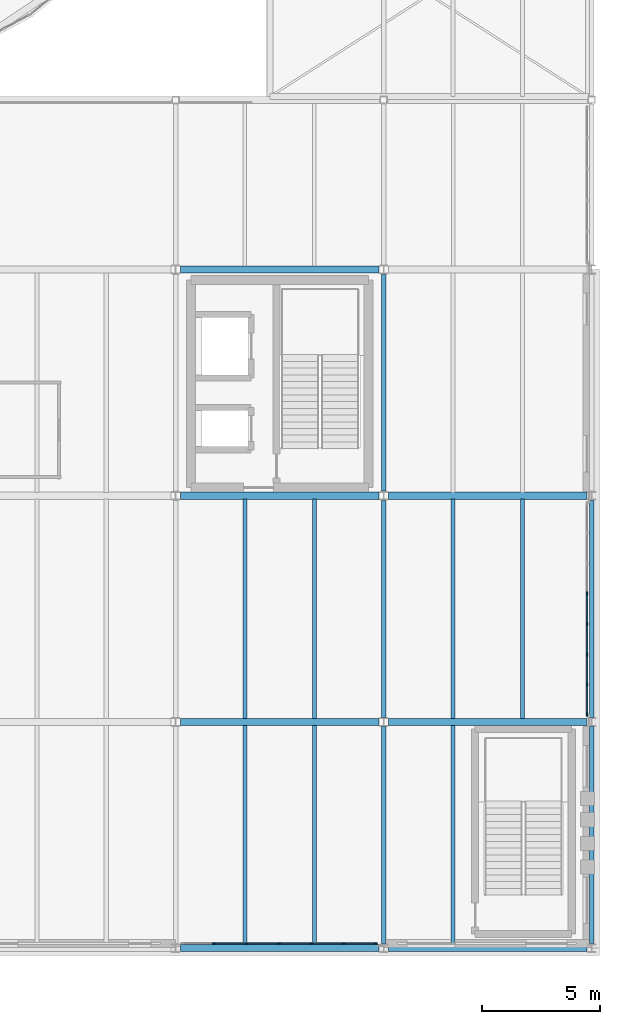
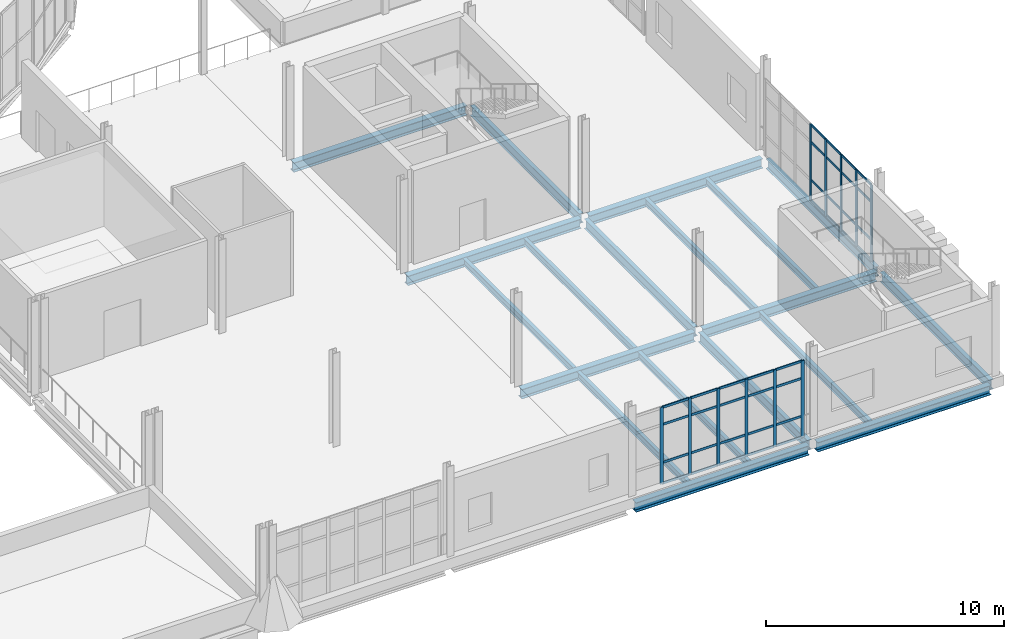
# One storey, part 58 of 112: 47 members, 19 beams, 2 elements without a shape of their own.
"""IFC4 building model written with IfcOpenShell, lengths in metres."""

from ifc_helpers import new_model, si_unit, direction, frame, origin, origin_2d, place, context, subcontext, project, spatial, rectangle, i_section, extrude, material, layer, layer_set, material_profile, profile_set, type_object, element, aggregate, save


model = new_model("IFC4")

# Units and contexts
model_context = context("Model", 3, precision=1e-05, world=origin(), true_north=direction((0.0, 1.0)))
body_context = subcontext(model_context, "Body", "Model", "MODEL_VIEW")
ifc_project = project(units=[si_unit("LENGTHUNIT", "METRE"), si_unit("AREAUNIT", "SQUARE_METRE"), si_unit("VOLUMEUNIT", "CUBIC_METRE"), si_unit("PLANEANGLEUNIT", "RADIAN"), si_unit("MASSUNIT", "GRAM", prefix="KILO")], contexts=[model_context])

# Site, building, storey
site_placement = place(None, origin())
site = spatial("IfcSite", under=ifc_project, at=site_placement, CompositionType="ELEMENT")
building_placement = place(site_placement, origin())
building = spatial("IfcBuilding", under=site, at=building_placement, Name="Yeouljin Market Hall", CompositionType="ELEMENT")
storey_placement = place(building_placement, frame((0.0, 0.0, 6.0)))
storey = spatial("IfcBuildingStorey", under=building, at=storey_placement, Name="L01", CompositionType="ELEMENT", Elevation=6.0)

# Beams
ifc_material_1 = material(Name="Steel SM355", Category="steel")
ifc_material_profile_1 = material_profile(ifc_material_1, i_section(OverallWidth=0.199951171875, OverallDepth=0.5, WebThickness=0.010009765625, FlangeThickness=0.01611328125, FilletRadius=0.02001953125, at=origin_2d()), Name="H-500x200x10x16")
ifc_profile_set_1 = profile_set([ifc_material_profile_1], Name="Steel SM355")
beam_type_1 = type_object("IfcBeamType", Name="Beam_H-500x200x10x16", PredefinedType="BEAM", material=ifc_profile_set_1)
for number, where, z_axis, x_axis, name in (
    (1, (167.570068359375, 0.199951171875, -0.514892578125), (0.0, 1.0, 0.0), (-1.0, 0.0, 0.0), "Primary beam BM-L01-Y226"),
    (2, (167.570068359375, 9.800048828125, -0.514892578125), (0.0, 1.0, 0.0), (-1.0, 0.0, 0.0), "Primary beam BM-L01-Y227"),
):
    element("IfcBeam", number, at=place(storey_placement, frame(where, z_axis=z_axis, x_axis=x_axis)), inside=storey, type_object=beam_type_1, Name=name, PredefinedType="BEAM", context=body_context, shape_type="SweptSolid", body=[
        extrude(i_section(OverallWidth=0.199951171875, OverallDepth=0.5, WebThickness=0.010009765625, FlangeThickness=0.01611328125, FilletRadius=0.02001953125, at=origin_2d()), origin(), (0.0, 0.0, 1.0), 9.199951171875),
    ])
beam_1_placement = place(storey_placement, frame((167.570068359375, 19.39990234375, -0.514892578125), z_axis=(0.0, 1.0, 0.0), x_axis=(-1.0, 0.0, 0.0)))
element("IfcBeam", 3, at=beam_1_placement, inside=storey, type_object=beam_type_1, Name="Primary beam BM-L01-Y228", PredefinedType="BEAM", context=body_context, shape_type="SweptSolid", body=[
    extrude(i_section(OverallWidth=0.199951171875, OverallDepth=0.5, WebThickness=0.010009765625, FlangeThickness=0.01611328125, FilletRadius=0.02001953125, at=origin_2d()), origin(), (0.0, 0.0, 1.0), 9.2001953125),
])
for number, where, z_axis, x_axis, name in (
    (4, (176.39990234375, 0.199951171875, -0.514892578125), (0.0, 1.0, 0.0), (-1.0, 0.0, 0.0), "Primary beam BM-L01-Y234"),
    (5, (176.39990234375, 9.800048828125, -0.514892578125), (0.0, 1.0, 0.0), (-1.0, 0.0, 0.0), "Primary beam BM-L01-Y235"),
):
    element("IfcBeam", number, at=place(storey_placement, frame(where, z_axis=z_axis, x_axis=x_axis)), inside=storey, type_object=beam_type_1, Name=name, PredefinedType="BEAM", context=body_context, shape_type="SweptSolid", body=[
        extrude(i_section(OverallWidth=0.199951171875, OverallDepth=0.5, WebThickness=0.010009765625, FlangeThickness=0.01611328125, FilletRadius=0.02001953125, at=origin_2d()), origin(), (0.0, 0.0, 1.0), 9.199951171875),
    ])

# Curtain wall, members
ifc_material_2 = material(Name="Thermally Broken Aluminium", Category="aluminium")
ifc_layer = layer(ifc_material_2, 0.14990234375)
ifc_layer_set = layer_set([ifc_layer], Name="Thermally Broken Aluminium")
curtain_wall_type = type_object("IfcCurtainWallType", Name="CW_AcademyRibbon_System", PredefinedType="USERDEFINED", material=ifc_layer_set)
curtain_wall_1_placement = place(storey_placement, origin())
curtain_wall_1 = element("IfcCurtainWall", 6, at=curtain_wall_1_placement, inside=storey, type_object=curtain_wall_type, Name="Curtain wall CW-L01-W10", ObjectType="CURTAIN WALL", PredefinedType="USERDEFINED")
ifc_material_3 = material(Name="Thermally Broken Aluminium", Category="aluminium")
ifc_material_profile_2 = material_profile(ifc_material_3, rectangle(XDim=0.048095703125, YDim=0.14990234375, at=origin_2d()), Name="CW-MULL-48x150")
ifc_profile_set_2 = profile_set([ifc_material_profile_2], Name="Thermally Broken Aluminium")
member_type_1 = type_object("IfcMemberType", Name="CWMullion_48x150", PredefinedType="MULLION", material=ifc_profile_set_2)
member_1_placement = place(storey_placement, frame((167.22607421875, 0.199951171875, 0.0), z_axis=(0.0, 0.0, 1.0), x_axis=(0.0, -1.0, 0.0)))
member_1 = element("IfcMember", 7, at=member_1_placement, type_object=member_type_1, Name="CW-05 mullion 1", PredefinedType="MULLION", context=body_context, shape_type="SweptSolid", body=[
    extrude(rectangle(XDim=0.048095703125, YDim=0.14990234375, at=origin_2d()), origin(), (0.0, 0.0, 1.0), 3.949951171875),
])
member_2_placement = place(storey_placement, frame((165.875, 0.199951171875, 0.0), z_axis=(0.0, 0.0, 1.0), x_axis=(0.0, -1.0, 0.0)))
member_2 = element("IfcMember", 8, at=member_2_placement, type_object=member_type_1, Name="CW-05 mullion 2", PredefinedType="MULLION", context=body_context, shape_type="SweptSolid", body=[
    extrude(rectangle(XDim=0.048095703125, YDim=0.14990234375, at=origin_2d()), origin(), (0.0, 0.0, 1.0), 3.949951171875),
])
member_3_placement = place(storey_placement, frame((164.5, 0.199951171875, 0.0), z_axis=(0.0, 0.0, 1.0), x_axis=(0.0, -1.0, 0.0)))
member_3 = element("IfcMember", 9, at=member_3_placement, type_object=member_type_1, Name="CW-05 mullion 3", PredefinedType="MULLION", context=body_context, shape_type="SweptSolid", body=[
    extrude(rectangle(XDim=0.048095703125, YDim=0.14990234375, at=origin_2d()), origin(), (0.0, 0.0, 1.0), 3.949951171875),
])
member_4_placement = place(storey_placement, frame((163.125, 0.199951171875, 0.0), z_axis=(0.0, 0.0, 1.0), x_axis=(0.0, -1.0, 0.0)))
member_4 = element("IfcMember", 10, at=member_4_placement, type_object=member_type_1, Name="CW-05 mullion 4", PredefinedType="MULLION", context=body_context, shape_type="SweptSolid", body=[
    extrude(rectangle(XDim=0.048095703125, YDim=0.14990234375, at=origin_2d()), origin(), (0.0, 0.0, 1.0), 3.949951171875),
])
member_5_placement = place(storey_placement, frame((161.75, 0.199951171875, 0.0), z_axis=(0.0, 0.0, 1.0), x_axis=(0.0, -1.0, 0.0)))
member_5 = element("IfcMember", 11, at=member_5_placement, type_object=member_type_1, Name="CW-05 mullion 5", PredefinedType="MULLION", context=body_context, shape_type="SweptSolid", body=[
    extrude(rectangle(XDim=0.048095703125, YDim=0.14990234375, at=origin_2d()), origin(), (0.0, 0.0, 1.0), 3.949951171875),
])
member_6_placement = place(storey_placement, frame((160.375, 0.199951171875, 0.0), z_axis=(0.0, 0.0, 1.0), x_axis=(0.0, -1.0, 0.0)))
member_6 = element("IfcMember", 12, at=member_6_placement, type_object=member_type_1, Name="CW-05 mullion 6", PredefinedType="MULLION", context=body_context, shape_type="SweptSolid", body=[
    extrude(rectangle(XDim=0.048095703125, YDim=0.14990234375, at=origin_2d()), origin(), (0.0, 0.0, 1.0), 3.949951171875),
])

curtain_wall_2_placement = place(storey_placement, origin())
curtain_wall_2 = element("IfcCurtainWall", 13, at=curtain_wall_2_placement, inside=storey, type_object=curtain_wall_type, Name="Curtain wall CW-L01-W15", ObjectType="CURTAIN WALL", PredefinedType="USERDEFINED")
member_7_placement = place(storey_placement, frame((176.199951171875, 15.04296875, 0.0), z_axis=(0.0, 0.0, 1.0), x_axis=(1.0, 0.0, 0.0)))
member_7 = element("IfcMember", 14, at=member_7_placement, type_object=member_type_1, Name="CW-05 mullion 4", PredefinedType="MULLION", context=body_context, shape_type="SweptSolid", body=[
    extrude(rectangle(XDim=0.048095703125, YDim=0.14990234375, at=origin_2d()), origin(), (0.0, 0.0, 1.0), 3.949951171875),
])
member_8_placement = place(storey_placement, frame((176.199951171875, 13.757080078125, 0.0), z_axis=(0.0, 0.0, 1.0), x_axis=(1.0, 0.0, 0.0)))
member_8 = element("IfcMember", 15, at=member_8_placement, type_object=member_type_1, Name="CW-05 mullion 5", PredefinedType="MULLION", context=body_context, shape_type="SweptSolid", body=[
    extrude(rectangle(XDim=0.048095703125, YDim=0.14990234375, at=origin_2d()), origin(), (0.0, 0.0, 1.0), 3.949951171875),
])
member_9_placement = place(storey_placement, frame((176.199951171875, 12.471435546875, 0.0), z_axis=(0.0, 0.0, 1.0), x_axis=(1.0, 0.0, 0.0)))
member_9 = element("IfcMember", 16, at=member_9_placement, type_object=member_type_1, Name="CW-05 mullion 6", PredefinedType="MULLION", context=body_context, shape_type="SweptSolid", body=[
    extrude(rectangle(XDim=0.048095703125, YDim=0.14990234375, at=origin_2d()), origin(), (0.0, 0.0, 1.0), 3.949951171875),
])
member_10_placement = place(storey_placement, frame((176.199951171875, 11.185791015625, 0.0), z_axis=(0.0, 0.0, 1.0), x_axis=(1.0, 0.0, 0.0)))
member_10 = element("IfcMember", 17, at=member_10_placement, type_object=member_type_1, Name="CW-05 mullion 7", PredefinedType="MULLION", context=body_context, shape_type="SweptSolid", body=[
    extrude(rectangle(XDim=0.048095703125, YDim=0.14990234375, at=origin_2d()), origin(), (0.0, 0.0, 1.0), 3.949951171875),
])
member_11_placement = place(storey_placement, frame((176.199951171875, 9.924072265625, 0.0), z_axis=(0.0, 0.0, 1.0), x_axis=(1.0, 0.0, 0.0)))
member_11 = element("IfcMember", 18, at=member_11_placement, type_object=member_type_1, Name="CW-05 mullion 8", PredefinedType="MULLION", context=body_context, shape_type="SweptSolid", body=[
    extrude(rectangle(XDim=0.048095703125, YDim=0.14990234375, at=origin_2d()), origin(), (0.0, 0.0, 1.0), 3.949951171875),
])

# Member
ifc_material_4 = material(Name="Thermally Broken Aluminium", Category="aluminium")
ifc_material_profile_3 = material_profile(ifc_material_4, rectangle(XDim=0.048095703125, YDim=0.1201171875, at=origin_2d()), Name="CW-TRAN-48x120")
ifc_profile_set_3 = profile_set([ifc_material_profile_3], Name="Thermally Broken Aluminium")
member_type_2 = type_object("IfcMemberType", Name="CWTransom_48x120", PredefinedType="USERDEFINED", material=ifc_profile_set_3)
member_12_placement = place(storey_placement, frame((167.201904296875, 0.199951171875, 0.02392578125), z_axis=(-1.0, 0.0, 0.0), x_axis=(0.0, -1.0, 0.0)))
member_12 = element("IfcMember", 19, at=member_12_placement, type_object=member_type_2, Name="CW-05 transom 1.1", ObjectType="TRANSOM", PredefinedType="USERDEFINED", context=body_context, shape_type="SweptSolid", body=[
    extrude(rectangle(XDim=0.048095703125, YDim=0.1201171875, at=origin_2d()), origin(), (0.0, 0.0, 1.0), 1.302978515625),
])

member_13_placement = place(storey_placement, frame((167.201904296875, 0.199951171875, 1.10009765625), z_axis=(-1.0, 0.0, 0.0), x_axis=(0.0, -1.0, 0.0)))
member_13 = element("IfcMember", 20, at=member_13_placement, type_object=member_type_2, Name="CW-05 transom 1.2", ObjectType="TRANSOM", PredefinedType="USERDEFINED", context=body_context, shape_type="SweptSolid", body=[
    extrude(rectangle(XDim=0.048095703125, YDim=0.1201171875, at=origin_2d()), origin(), (0.0, 0.0, 1.0), 1.302978515625),
])

member_14_placement = place(storey_placement, frame((167.201904296875, 0.199951171875, 3.050048828125), z_axis=(-1.0, 0.0, 0.0), x_axis=(0.0, -1.0, 0.0)))
member_14 = element("IfcMember", 21, at=member_14_placement, type_object=member_type_2, Name="CW-05 transom 1.3", ObjectType="TRANSOM", PredefinedType="USERDEFINED", context=body_context, shape_type="SweptSolid", body=[
    extrude(rectangle(XDim=0.048095703125, YDim=0.1201171875, at=origin_2d()), origin(), (0.0, 0.0, 1.0), 1.302978515625),
])

member_15_placement = place(storey_placement, frame((167.201904296875, 0.199951171875, 3.926025390625), z_axis=(-1.0, 0.0, 0.0), x_axis=(0.0, -1.0, 0.0)))
member_15 = element("IfcMember", 22, at=member_15_placement, type_object=member_type_2, Name="CW-05 transom 1.4", ObjectType="TRANSOM", PredefinedType="USERDEFINED", context=body_context, shape_type="SweptSolid", body=[
    extrude(rectangle(XDim=0.048095703125, YDim=0.1201171875, at=origin_2d()), origin(), (0.0, 0.0, 1.0), 1.302978515625),
])

member_16_placement = place(storey_placement, frame((165.85107421875, 0.199951171875, 0.02392578125), z_axis=(-1.0, 0.0, 0.0), x_axis=(0.0, -1.0, 0.0)))
member_16 = element("IfcMember", 23, at=member_16_placement, type_object=member_type_2, Name="CW-05 transom 2.1", ObjectType="TRANSOM", PredefinedType="USERDEFINED", context=body_context, shape_type="SweptSolid", body=[
    extrude(rectangle(XDim=0.048095703125, YDim=0.1201171875, at=origin_2d()), origin(), (0.0, 0.0, 1.0), 1.3271484375),
])

member_17_placement = place(storey_placement, frame((165.85107421875, 0.199951171875, 1.10009765625), z_axis=(-1.0, 0.0, 0.0), x_axis=(0.0, -1.0, 0.0)))
member_17 = element("IfcMember", 24, at=member_17_placement, type_object=member_type_2, Name="CW-05 transom 2.2", ObjectType="TRANSOM", PredefinedType="USERDEFINED", context=body_context, shape_type="SweptSolid", body=[
    extrude(rectangle(XDim=0.048095703125, YDim=0.1201171875, at=origin_2d()), origin(), (0.0, 0.0, 1.0), 1.3271484375),
])

member_18_placement = place(storey_placement, frame((165.85107421875, 0.199951171875, 3.050048828125), z_axis=(-1.0, 0.0, 0.0), x_axis=(0.0, -1.0, 0.0)))
member_18 = element("IfcMember", 25, at=member_18_placement, type_object=member_type_2, Name="CW-05 transom 2.3", ObjectType="TRANSOM", PredefinedType="USERDEFINED", context=body_context, shape_type="SweptSolid", body=[
    extrude(rectangle(XDim=0.048095703125, YDim=0.1201171875, at=origin_2d()), origin(), (0.0, 0.0, 1.0), 1.3271484375),
])

member_19_placement = place(storey_placement, frame((165.85107421875, 0.199951171875, 3.926025390625), z_axis=(-1.0, 0.0, 0.0), x_axis=(0.0, -1.0, 0.0)))
member_19 = element("IfcMember", 26, at=member_19_placement, type_object=member_type_2, Name="CW-05 transom 2.4", ObjectType="TRANSOM", PredefinedType="USERDEFINED", context=body_context, shape_type="SweptSolid", body=[
    extrude(rectangle(XDim=0.048095703125, YDim=0.1201171875, at=origin_2d()), origin(), (0.0, 0.0, 1.0), 1.3271484375),
])

member_20_placement = place(storey_placement, frame((164.47607421875, 0.199951171875, 0.02392578125), z_axis=(-1.0, 0.0, 0.0), x_axis=(0.0, -1.0, 0.0)))
member_20 = element("IfcMember", 27, at=member_20_placement, type_object=member_type_2, Name="CW-05 transom 3.1", ObjectType="TRANSOM", PredefinedType="USERDEFINED", context=body_context, shape_type="SweptSolid", body=[
    extrude(rectangle(XDim=0.048095703125, YDim=0.1201171875, at=origin_2d()), origin(), (0.0, 0.0, 1.0), 1.3271484375),
])

member_21_placement = place(storey_placement, frame((164.47607421875, 0.199951171875, 1.10009765625), z_axis=(-1.0, 0.0, 0.0), x_axis=(0.0, -1.0, 0.0)))
member_21 = element("IfcMember", 28, at=member_21_placement, type_object=member_type_2, Name="CW-05 transom 3.2", ObjectType="TRANSOM", PredefinedType="USERDEFINED", context=body_context, shape_type="SweptSolid", body=[
    extrude(rectangle(XDim=0.048095703125, YDim=0.1201171875, at=origin_2d()), origin(), (0.0, 0.0, 1.0), 1.3271484375),
])

member_22_placement = place(storey_placement, frame((164.47607421875, 0.199951171875, 3.050048828125), z_axis=(-1.0, 0.0, 0.0), x_axis=(0.0, -1.0, 0.0)))
member_22 = element("IfcMember", 29, at=member_22_placement, type_object=member_type_2, Name="CW-05 transom 3.3", ObjectType="TRANSOM", PredefinedType="USERDEFINED", context=body_context, shape_type="SweptSolid", body=[
    extrude(rectangle(XDim=0.048095703125, YDim=0.1201171875, at=origin_2d()), origin(), (0.0, 0.0, 1.0), 1.3271484375),
])

member_23_placement = place(storey_placement, frame((164.47607421875, 0.199951171875, 3.926025390625), z_axis=(-1.0, 0.0, 0.0), x_axis=(0.0, -1.0, 0.0)))
member_23 = element("IfcMember", 30, at=member_23_placement, type_object=member_type_2, Name="CW-05 transom 3.4", ObjectType="TRANSOM", PredefinedType="USERDEFINED", context=body_context, shape_type="SweptSolid", body=[
    extrude(rectangle(XDim=0.048095703125, YDim=0.1201171875, at=origin_2d()), origin(), (0.0, 0.0, 1.0), 1.3271484375),
])

member_24_placement = place(storey_placement, frame((163.10107421875, 0.199951171875, 0.02392578125), z_axis=(-1.0, 0.0, 0.0), x_axis=(0.0, -1.0, 0.0)))
member_24 = element("IfcMember", 31, at=member_24_placement, type_object=member_type_2, Name="CW-05 transom 4.1", ObjectType="TRANSOM", PredefinedType="USERDEFINED", context=body_context, shape_type="SweptSolid", body=[
    extrude(rectangle(XDim=0.048095703125, YDim=0.1201171875, at=origin_2d()), origin(), (0.0, 0.0, 1.0), 1.3271484375),
])

member_25_placement = place(storey_placement, frame((163.10107421875, 0.199951171875, 1.10009765625), z_axis=(-1.0, 0.0, 0.0), x_axis=(0.0, -1.0, 0.0)))
member_25 = element("IfcMember", 32, at=member_25_placement, type_object=member_type_2, Name="CW-05 transom 4.2", ObjectType="TRANSOM", PredefinedType="USERDEFINED", context=body_context, shape_type="SweptSolid", body=[
    extrude(rectangle(XDim=0.048095703125, YDim=0.1201171875, at=origin_2d()), origin(), (0.0, 0.0, 1.0), 1.3271484375),
])

member_26_placement = place(storey_placement, frame((163.10107421875, 0.199951171875, 3.050048828125), z_axis=(-1.0, 0.0, 0.0), x_axis=(0.0, -1.0, 0.0)))
member_26 = element("IfcMember", 33, at=member_26_placement, type_object=member_type_2, Name="CW-05 transom 4.3", ObjectType="TRANSOM", PredefinedType="USERDEFINED", context=body_context, shape_type="SweptSolid", body=[
    extrude(rectangle(XDim=0.048095703125, YDim=0.1201171875, at=origin_2d()), origin(), (0.0, 0.0, 1.0), 1.3271484375),
])

member_27_placement = place(storey_placement, frame((163.10107421875, 0.199951171875, 3.926025390625), z_axis=(-1.0, 0.0, 0.0), x_axis=(0.0, -1.0, 0.0)))
member_27 = element("IfcMember", 34, at=member_27_placement, type_object=member_type_2, Name="CW-05 transom 4.4", ObjectType="TRANSOM", PredefinedType="USERDEFINED", context=body_context, shape_type="SweptSolid", body=[
    extrude(rectangle(XDim=0.048095703125, YDim=0.1201171875, at=origin_2d()), origin(), (0.0, 0.0, 1.0), 1.3271484375),
])

member_28_placement = place(storey_placement, frame((161.72607421875, 0.199951171875, 0.02392578125), z_axis=(-1.0, 0.0, 0.0), x_axis=(0.0, -1.0, 0.0)))
member_28 = element("IfcMember", 35, at=member_28_placement, type_object=member_type_2, Name="CW-05 transom 5.1", ObjectType="TRANSOM", PredefinedType="USERDEFINED", context=body_context, shape_type="SweptSolid", body=[
    extrude(rectangle(XDim=0.048095703125, YDim=0.1201171875, at=origin_2d()), origin(), (0.0, 0.0, 1.0), 1.3271484375),
])

member_29_placement = place(storey_placement, frame((161.72607421875, 0.199951171875, 1.10009765625), z_axis=(-1.0, 0.0, 0.0), x_axis=(0.0, -1.0, 0.0)))
member_29 = element("IfcMember", 36, at=member_29_placement, type_object=member_type_2, Name="CW-05 transom 5.2", ObjectType="TRANSOM", PredefinedType="USERDEFINED", context=body_context, shape_type="SweptSolid", body=[
    extrude(rectangle(XDim=0.048095703125, YDim=0.1201171875, at=origin_2d()), origin(), (0.0, 0.0, 1.0), 1.3271484375),
])

member_30_placement = place(storey_placement, frame((161.72607421875, 0.199951171875, 3.050048828125), z_axis=(-1.0, 0.0, 0.0), x_axis=(0.0, -1.0, 0.0)))
member_30 = element("IfcMember", 37, at=member_30_placement, type_object=member_type_2, Name="CW-05 transom 5.3", ObjectType="TRANSOM", PredefinedType="USERDEFINED", context=body_context, shape_type="SweptSolid", body=[
    extrude(rectangle(XDim=0.048095703125, YDim=0.1201171875, at=origin_2d()), origin(), (0.0, 0.0, 1.0), 1.3271484375),
])

member_31_placement = place(storey_placement, frame((161.72607421875, 0.199951171875, 3.926025390625), z_axis=(-1.0, 0.0, 0.0), x_axis=(0.0, -1.0, 0.0)))
member_31 = element("IfcMember", 38, at=member_31_placement, type_object=member_type_2, Name="CW-05 transom 5.4", ObjectType="TRANSOM", PredefinedType="USERDEFINED", context=body_context, shape_type="SweptSolid", body=[
    extrude(rectangle(XDim=0.048095703125, YDim=0.1201171875, at=origin_2d()), origin(), (0.0, 0.0, 1.0), 1.3271484375),
])

aggregate(curtain_wall_1, [member_1, member_2, member_3, member_4, member_5, member_6, member_12, member_13, member_14, member_15, member_16, member_17, member_18, member_19, member_20, member_21, member_22, member_23, member_24, member_25, member_26, member_27, member_28, member_29, member_30, member_31])

member_32_placement = place(storey_placement, frame((176.199951171875, 15.018798828125, 0.02392578125), z_axis=(0.0, -1.0, 0.0), x_axis=(1.0, 0.0, 0.0)))
member_32 = element("IfcMember", 39, at=member_32_placement, type_object=member_type_2, Name="CW-05 transom 4.1", ObjectType="TRANSOM", PredefinedType="USERDEFINED", context=body_context, shape_type="SweptSolid", body=[
    extrude(rectangle(XDim=0.048095703125, YDim=0.1201171875, at=origin_2d()), origin(), (0.0, 0.0, 1.0), 1.237548828125),
])

member_33_placement = place(storey_placement, frame((176.199951171875, 15.018798828125, 1.10009765625), z_axis=(0.0, -1.0, 0.0), x_axis=(1.0, 0.0, 0.0)))
member_33 = element("IfcMember", 40, at=member_33_placement, type_object=member_type_2, Name="CW-05 transom 4.2", ObjectType="TRANSOM", PredefinedType="USERDEFINED", context=body_context, shape_type="SweptSolid", body=[
    extrude(rectangle(XDim=0.048095703125, YDim=0.1201171875, at=origin_2d()), origin(), (0.0, 0.0, 1.0), 1.237548828125),
])

member_34_placement = place(storey_placement, frame((176.199951171875, 15.018798828125, 3.050048828125), z_axis=(0.0, -1.0, 0.0), x_axis=(1.0, 0.0, 0.0)))
member_34 = element("IfcMember", 41, at=member_34_placement, type_object=member_type_2, Name="CW-05 transom 4.3", ObjectType="TRANSOM", PredefinedType="USERDEFINED", context=body_context, shape_type="SweptSolid", body=[
    extrude(rectangle(XDim=0.048095703125, YDim=0.1201171875, at=origin_2d()), origin(), (0.0, 0.0, 1.0), 1.237548828125),
])

member_35_placement = place(storey_placement, frame((176.199951171875, 15.018798828125, 3.926025390625), z_axis=(0.0, -1.0, 0.0), x_axis=(1.0, 0.0, 0.0)))
member_35 = element("IfcMember", 42, at=member_35_placement, type_object=member_type_2, Name="CW-05 transom 4.4", ObjectType="TRANSOM", PredefinedType="USERDEFINED", context=body_context, shape_type="SweptSolid", body=[
    extrude(rectangle(XDim=0.048095703125, YDim=0.1201171875, at=origin_2d()), origin(), (0.0, 0.0, 1.0), 1.237548828125),
])

member_36_placement = place(storey_placement, frame((176.199951171875, 13.733154296875, 0.02392578125), z_axis=(0.0, -1.0, 0.0), x_axis=(1.0, 0.0, 0.0)))
member_36 = element("IfcMember", 43, at=member_36_placement, type_object=member_type_2, Name="CW-05 transom 5.1", ObjectType="TRANSOM", PredefinedType="USERDEFINED", context=body_context, shape_type="SweptSolid", body=[
    extrude(rectangle(XDim=0.048095703125, YDim=0.1201171875, at=origin_2d()), origin(), (0.0, 0.0, 1.0), 1.23779296875),
])

member_37_placement = place(storey_placement, frame((176.199951171875, 13.733154296875, 1.10009765625), z_axis=(0.0, -1.0, 0.0), x_axis=(1.0, 0.0, 0.0)))
member_37 = element("IfcMember", 44, at=member_37_placement, type_object=member_type_2, Name="CW-05 transom 5.2", ObjectType="TRANSOM", PredefinedType="USERDEFINED", context=body_context, shape_type="SweptSolid", body=[
    extrude(rectangle(XDim=0.048095703125, YDim=0.1201171875, at=origin_2d()), origin(), (0.0, 0.0, 1.0), 1.23779296875),
])

member_38_placement = place(storey_placement, frame((176.199951171875, 13.733154296875, 3.050048828125), z_axis=(0.0, -1.0, 0.0), x_axis=(1.0, 0.0, 0.0)))
member_38 = element("IfcMember", 45, at=member_38_placement, type_object=member_type_2, Name="CW-05 transom 5.3", ObjectType="TRANSOM", PredefinedType="USERDEFINED", context=body_context, shape_type="SweptSolid", body=[
    extrude(rectangle(XDim=0.048095703125, YDim=0.1201171875, at=origin_2d()), origin(), (0.0, 0.0, 1.0), 1.23779296875),
])

member_39_placement = place(storey_placement, frame((176.199951171875, 13.733154296875, 3.926025390625), z_axis=(0.0, -1.0, 0.0), x_axis=(1.0, 0.0, 0.0)))
member_39 = element("IfcMember", 46, at=member_39_placement, type_object=member_type_2, Name="CW-05 transom 5.4", ObjectType="TRANSOM", PredefinedType="USERDEFINED", context=body_context, shape_type="SweptSolid", body=[
    extrude(rectangle(XDim=0.048095703125, YDim=0.1201171875, at=origin_2d()), origin(), (0.0, 0.0, 1.0), 1.23779296875),
])

member_40_placement = place(storey_placement, frame((176.199951171875, 12.447509765625, 0.02392578125), z_axis=(0.0, -1.0, 0.0), x_axis=(1.0, 0.0, 0.0)))
member_40 = element("IfcMember", 47, at=member_40_placement, type_object=member_type_2, Name="CW-05 transom 6.1", ObjectType="TRANSOM", PredefinedType="USERDEFINED", context=body_context, shape_type="SweptSolid", body=[
    extrude(rectangle(XDim=0.048095703125, YDim=0.1201171875, at=origin_2d()), origin(), (0.0, 0.0, 1.0), 1.23779296875),
])

member_41_placement = place(storey_placement, frame((176.199951171875, 12.447509765625, 1.10009765625), z_axis=(0.0, -1.0, 0.0), x_axis=(1.0, 0.0, 0.0)))
member_41 = element("IfcMember", 48, at=member_41_placement, type_object=member_type_2, Name="CW-05 transom 6.2", ObjectType="TRANSOM", PredefinedType="USERDEFINED", context=body_context, shape_type="SweptSolid", body=[
    extrude(rectangle(XDim=0.048095703125, YDim=0.1201171875, at=origin_2d()), origin(), (0.0, 0.0, 1.0), 1.23779296875),
])

member_42_placement = place(storey_placement, frame((176.199951171875, 12.447509765625, 3.050048828125), z_axis=(0.0, -1.0, 0.0), x_axis=(1.0, 0.0, 0.0)))
member_42 = element("IfcMember", 49, at=member_42_placement, type_object=member_type_2, Name="CW-05 transom 6.3", ObjectType="TRANSOM", PredefinedType="USERDEFINED", context=body_context, shape_type="SweptSolid", body=[
    extrude(rectangle(XDim=0.048095703125, YDim=0.1201171875, at=origin_2d()), origin(), (0.0, 0.0, 1.0), 1.23779296875),
])

member_43_placement = place(storey_placement, frame((176.199951171875, 12.447509765625, 3.926025390625), z_axis=(0.0, -1.0, 0.0), x_axis=(1.0, 0.0, 0.0)))
member_43 = element("IfcMember", 50, at=member_43_placement, type_object=member_type_2, Name="CW-05 transom 6.4", ObjectType="TRANSOM", PredefinedType="USERDEFINED", context=body_context, shape_type="SweptSolid", body=[
    extrude(rectangle(XDim=0.048095703125, YDim=0.1201171875, at=origin_2d()), origin(), (0.0, 0.0, 1.0), 1.23779296875),
])

member_44_placement = place(storey_placement, frame((176.199951171875, 11.16162109375, 0.02392578125), z_axis=(0.0, -1.0, 0.0), x_axis=(1.0, 0.0, 0.0)))
member_44 = element("IfcMember", 51, at=member_44_placement, type_object=member_type_2, Name="CW-05 transom 7.1", ObjectType="TRANSOM", PredefinedType="USERDEFINED", context=body_context, shape_type="SweptSolid", body=[
    extrude(rectangle(XDim=0.048095703125, YDim=0.1201171875, at=origin_2d()), origin(), (0.0, 0.0, 1.0), 1.213623046875),
])

member_45_placement = place(storey_placement, frame((176.199951171875, 11.16162109375, 1.10009765625), z_axis=(0.0, -1.0, 0.0), x_axis=(1.0, 0.0, 0.0)))
member_45 = element("IfcMember", 52, at=member_45_placement, type_object=member_type_2, Name="CW-05 transom 7.2", ObjectType="TRANSOM", PredefinedType="USERDEFINED", context=body_context, shape_type="SweptSolid", body=[
    extrude(rectangle(XDim=0.048095703125, YDim=0.1201171875, at=origin_2d()), origin(), (0.0, 0.0, 1.0), 1.213623046875),
])

member_46_placement = place(storey_placement, frame((176.199951171875, 11.16162109375, 3.050048828125), z_axis=(0.0, -1.0, 0.0), x_axis=(1.0, 0.0, 0.0)))
member_46 = element("IfcMember", 53, at=member_46_placement, type_object=member_type_2, Name="CW-05 transom 7.3", ObjectType="TRANSOM", PredefinedType="USERDEFINED", context=body_context, shape_type="SweptSolid", body=[
    extrude(rectangle(XDim=0.048095703125, YDim=0.1201171875, at=origin_2d()), origin(), (0.0, 0.0, 1.0), 1.213623046875),
])

member_47_placement = place(storey_placement, frame((176.199951171875, 11.16162109375, 3.926025390625), z_axis=(0.0, -1.0, 0.0), x_axis=(1.0, 0.0, 0.0)))
member_47 = element("IfcMember", 54, at=member_47_placement, type_object=member_type_2, Name="CW-05 transom 7.4", ObjectType="TRANSOM", PredefinedType="USERDEFINED", context=body_context, shape_type="SweptSolid", body=[
    extrude(rectangle(XDim=0.048095703125, YDim=0.1201171875, at=origin_2d()), origin(), (0.0, 0.0, 1.0), 1.213623046875),
])

aggregate(curtain_wall_2, [member_7, member_8, member_9, member_10, member_11, member_32, member_33, member_34, member_35, member_36, member_37, member_38, member_39, member_40, member_41, member_42, member_43, member_44, member_45, member_46, member_47])

# Beams
ifc_material_5 = material(Name="Steel SM355", Category="steel")
ifc_material_profile_4 = material_profile(ifc_material_5, i_section(OverallWidth=0.300048828125, OverallDepth=0.488037109375, WebThickness=0.010986328125, FlangeThickness=0.01806640625, FilletRadius=0.02197265625, at=origin_2d()), Name="H-488x300x11x18")
ifc_profile_set_4 = profile_set([ifc_material_profile_4], Name="Steel SM355")
beam_type_2 = type_object("IfcBeamType", Name="Girder_H-488x300x11x18", PredefinedType="USERDEFINED", material=ifc_profile_set_4)
beam_2_placement = place(storey_placement, frame((158.93994140625, 0.0, -0.509033203125), z_axis=(1.0, 0.0, 0.0), x_axis=(0.0, 1.0, 0.0)))
element("IfcBeam", 55, at=beam_2_placement, inside=storey, type_object=beam_type_2, Name="Primary girder GRD-L01-X013", ObjectType="GIRDER", PredefinedType="USERDEFINED", context=body_context, shape_type="SweptSolid", body=[
    extrude(i_section(OverallWidth=0.300048828125, OverallDepth=0.488037109375, WebThickness=0.010986328125, FlangeThickness=0.01806640625, FilletRadius=0.02197265625, at=origin_2d()), origin(), (0.0, 0.0, 1.0), 8.43017578125),
])
beam_3_placement = place(storey_placement, frame((167.77001953125, 0.0, -0.509033203125), z_axis=(1.0, 0.0, 0.0), x_axis=(0.0, 1.0, 0.0)))
element("IfcBeam", 56, at=beam_3_placement, inside=storey, type_object=beam_type_2, Name="Primary girder GRD-L01-X014", ObjectType="GIRDER", PredefinedType="USERDEFINED", context=body_context, shape_type="SweptSolid", body=[
    extrude(i_section(OverallWidth=0.300048828125, OverallDepth=0.488037109375, WebThickness=0.010986328125, FlangeThickness=0.01806640625, FilletRadius=0.02197265625, at=origin_2d()), origin(), (0.0, 0.0, 1.0), 8.429931640625),
])
beam_4_placement = place(storey_placement, frame((158.93994140625, 9.60009765625, -0.509033203125), z_axis=(1.0, 0.0, 0.0), x_axis=(0.0, 1.0, 0.0)))
element("IfcBeam", 57, at=beam_4_placement, inside=storey, type_object=beam_type_2, Name="Primary girder GRD-L01-X027", ObjectType="GIRDER", PredefinedType="USERDEFINED", context=body_context, shape_type="SweptSolid", body=[
    extrude(i_section(OverallWidth=0.300048828125, OverallDepth=0.488037109375, WebThickness=0.010986328125, FlangeThickness=0.01806640625, FilletRadius=0.02197265625, at=origin_2d()), origin(), (0.0, 0.0, 1.0), 8.43017578125),
])
beam_5_placement = place(storey_placement, frame((167.77001953125, 9.60009765625, -0.509033203125), z_axis=(1.0, 0.0, 0.0), x_axis=(0.0, 1.0, 0.0)))
element("IfcBeam", 58, at=beam_5_placement, inside=storey, type_object=beam_type_2, Name="Primary girder GRD-L01-X028", ObjectType="GIRDER", PredefinedType="USERDEFINED", context=body_context, shape_type="SweptSolid", body=[
    extrude(i_section(OverallWidth=0.300048828125, OverallDepth=0.488037109375, WebThickness=0.010986328125, FlangeThickness=0.01806640625, FilletRadius=0.02197265625, at=origin_2d()), origin(), (0.0, 0.0, 1.0), 8.429931640625),
])
beam_6_placement = place(storey_placement, frame((158.93994140625, 19.199951171875, -0.509033203125), z_axis=(1.0, 0.0, 0.0), x_axis=(0.0, 1.0, 0.0)))
element("IfcBeam", 59, at=beam_6_placement, inside=storey, type_object=beam_type_2, Name="Primary girder GRD-L01-X035", ObjectType="GIRDER", PredefinedType="USERDEFINED", context=body_context, shape_type="SweptSolid", body=[
    extrude(i_section(OverallWidth=0.300048828125, OverallDepth=0.488037109375, WebThickness=0.010986328125, FlangeThickness=0.01806640625, FilletRadius=0.02197265625, at=origin_2d()), origin(), (0.0, 0.0, 1.0), 8.43017578125),
])
beam_7_placement = place(storey_placement, frame((167.77001953125, 19.199951171875, -0.509033203125), z_axis=(1.0, 0.0, 0.0), x_axis=(0.0, 1.0, 0.0)))
element("IfcBeam", 60, at=beam_7_placement, inside=storey, type_object=beam_type_2, Name="Primary girder GRD-L01-X036", ObjectType="GIRDER", PredefinedType="USERDEFINED", context=body_context, shape_type="SweptSolid", body=[
    extrude(i_section(OverallWidth=0.300048828125, OverallDepth=0.488037109375, WebThickness=0.010986328125, FlangeThickness=0.01806640625, FilletRadius=0.02197265625, at=origin_2d()), origin(), (0.0, 0.0, 1.0), 8.429931640625),
])
beam_8_placement = place(storey_placement, frame((158.93994140625, 28.800048828125, -0.509033203125), z_axis=(1.0, 0.0, 0.0), x_axis=(0.0, 1.0, 0.0)))
element("IfcBeam", 61, at=beam_8_placement, inside=storey, type_object=beam_type_2, Name="Primary girder GRD-L01-X043", ObjectType="GIRDER", PredefinedType="USERDEFINED", context=body_context, shape_type="SweptSolid", body=[
    extrude(i_section(OverallWidth=0.300048828125, OverallDepth=0.488037109375, WebThickness=0.010986328125, FlangeThickness=0.01806640625, FilletRadius=0.02197265625, at=origin_2d()), origin(), (0.0, 0.0, 1.0), 8.43017578125),
])
ifc_material_6 = material(Name="Steel SM355", Category="steel")
ifc_material_profile_5 = material_profile(ifc_material_6, i_section(OverallWidth=0.175048828125, OverallDepth=0.35009765625, WebThickness=0.007080078125, FlangeThickness=0.010986328125, FilletRadius=0.013916015625, at=origin_2d()), Name="H-350x175x7x11")
ifc_profile_set_5 = profile_set([ifc_material_profile_5], Name="Steel SM355")
beam_type_3 = type_object("IfcBeamType", Name="Joist_H-350x175x7x11", PredefinedType="JOIST", material=ifc_profile_set_5)
for number, where, z_axis, x_axis, name in (
    (62, (161.683349609375, 0.14697265625, -0.43994140625), (0.0, 1.0, 0.0), (-1.0, 0.0, 0.0), "Secondary floor joist L01-112"),
    (63, (164.626708984375, 0.14697265625, -0.43994140625), (0.0, 1.0, 0.0), (-1.0, 0.0, 0.0), "Secondary floor joist L01-113"),
    (64, (161.683349609375, 9.7470703125, -0.43994140625), (0.0, 1.0, 0.0), (-1.0, 0.0, 0.0), "Secondary floor joist L01-114"),
    (65, (164.626708984375, 9.7470703125, -0.43994140625), (0.0, 1.0, 0.0), (-1.0, 0.0, 0.0), "Secondary floor joist L01-115"),
    (66, (170.51318359375, 0.14697265625, -0.43994140625), (0.0, 1.0, 0.0), (-1.0, 0.0, 0.0), "Secondary floor joist L01-118"),
    (67, (170.51318359375, 9.7470703125, -0.43994140625), (0.0, 1.0, 0.0), (-1.0, 0.0, 0.0), "Secondary floor joist L01-119"),
    (68, (173.456787109375, 9.7470703125, -0.43994140625), (0.0, 1.0, 0.0), (-1.0, 0.0, 0.0), "Secondary floor joist L01-120"),
):
    element("IfcBeam", number, at=place(storey_placement, frame(where, z_axis=z_axis, x_axis=x_axis)), inside=storey, type_object=beam_type_3, Name=name, PredefinedType="JOIST", context=body_context, shape_type="SweptSolid", body=[
        extrude(i_section(OverallWidth=0.175048828125, OverallDepth=0.35009765625, WebThickness=0.007080078125, FlangeThickness=0.010986328125, FilletRadius=0.013916015625, at=origin_2d()), origin(), (0.0, 0.0, 1.0), 9.305908203125),
    ])

save(model, "model.ifc")
